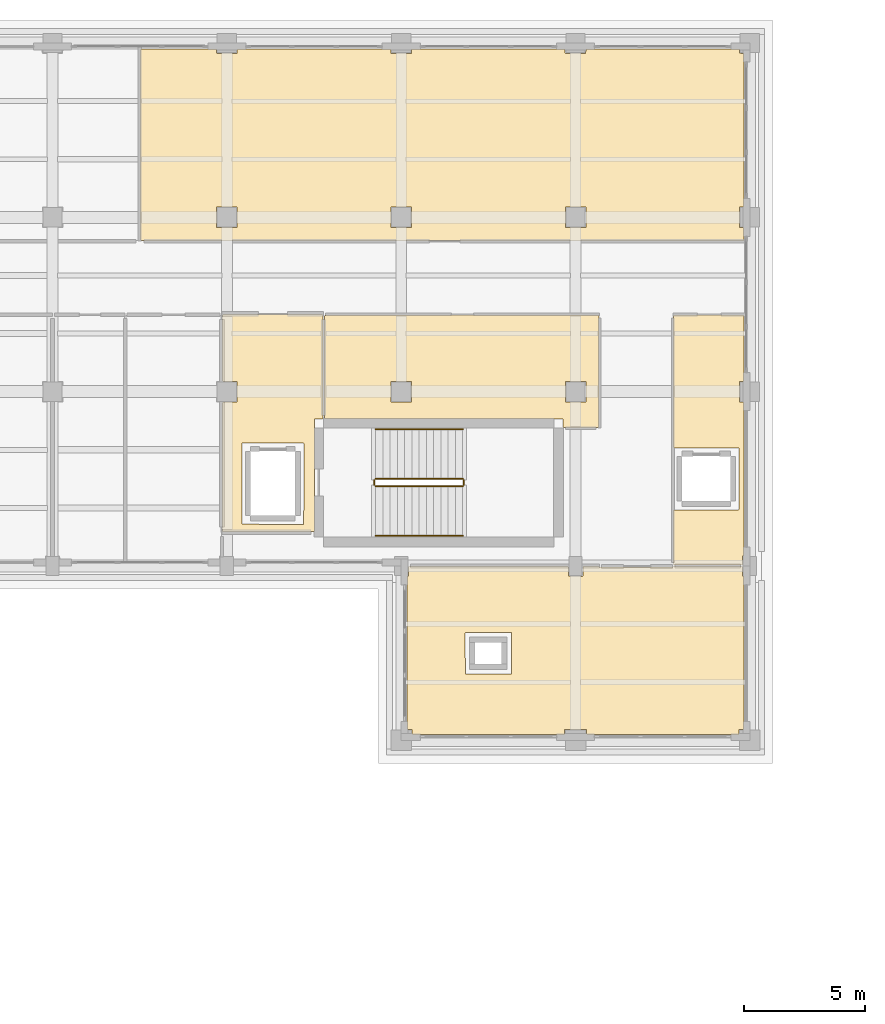
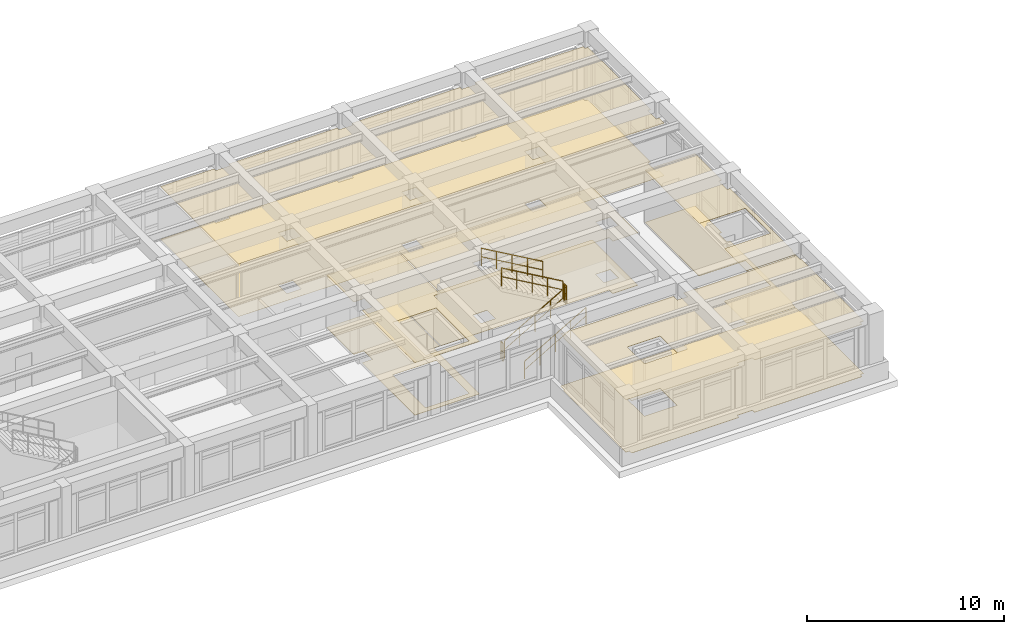
# One storey, part 98 of 98: 10 coverings, 6 railings.
"""IFC4 building model written with IfcOpenShell, lengths in metres."""

import ifcopenshell
import ifcopenshell.guid

model = None  # the IFC model being written
_history = None  # IfcOwnerHistory: only IFC2X3 demands one
_inside = {}  # id of a spatial element -> (the spatial element, [elements in it])
_under = {}  # id of a project, library or spatial element -> (it, [spatial elements below it])
_declared = {}  # id of a project -> (the project, [libraries it declares])
_typed = {}  # id of a type object -> (the type object, [elements of that type])
_made_of = {}  # id of a material, layer set ... -> (it, [elements and type objects made of it])


def new_model(schema):
    """Start an empty IFC model of exactly this schema.

    Asked for "IFC4X3", IfcOpenShell would pick the latest addendum, in which some entities
    have other attributes; the version numbers below select the first issue.
    IFC2X3 requires an IfcOwnerHistory on every rooted entity: one is made here for all.
    """
    global model, _history
    if schema == "IFC4X3":
        model = ifcopenshell.file(schema_version=(4, 3, 0, 0))
    else:
        model = ifcopenshell.file(schema=schema)
    _inside.clear()
    _under.clear()
    _declared.clear()
    _typed.clear()
    _made_of.clear()
    _history = None
    if model.schema == "IFC2X3":
        org = make("IfcOrganization", Name="unknown")
        user = make(
            "IfcPersonAndOrganization",
            ThePerson=make("IfcPerson", FamilyName="unknown"),
            TheOrganization=org,
        )
        app = make(
            "IfcApplication",
            ApplicationDeveloper=org,
            Version="unknown",
            ApplicationFullName="unknown",
            ApplicationIdentifier="unknown",
        )
        _history = make(
            "IfcOwnerHistory",
            OwningUser=user,
            OwningApplication=app,
            ChangeAction="ADDED",
            CreationDate=0,
        )
    return model


def make(cls, **values):
    """One entity of the class cls with the attributes given. An attribute that is None is left unset."""
    return model.create_entity(
        cls, **{name: value for name, value in values.items() if value is not None}
    )


def rooted(cls, **values):
    """An entity with a GlobalId (a new one), such as an element, a storey or a relation."""
    return make(cls, GlobalId=ifcopenshell.guid.new(), OwnerHistory=_history, **values)


def si_unit(unit_type, name, prefix=None):
    """IfcSIUnit, for example si_unit("LENGTHUNIT", "METRE", prefix="MILLI")."""
    return make("IfcSIUnit", UnitType=unit_type, Prefix=prefix, Name=name)


def assignment(units):
    """IfcUnitAssignment: the units of a project."""
    return None if units is None else make("IfcUnitAssignment", Units=units)


def point(xyz):
    """IfcCartesianPoint."""
    return None if xyz is None else make("IfcCartesianPoint", Coordinates=xyz)


def direction(xyz):
    """IfcDirection."""
    return None if xyz is None else make("IfcDirection", DirectionRatios=xyz)


def frame(location, z_axis=None, x_axis=None):
    """IfcAxis2Placement3D, a coordinate frame: its origin and axes. An axis left out is left unset."""
    return make(
        "IfcAxis2Placement3D",
        Location=point(location),
        Axis=direction(z_axis),
        RefDirection=direction(x_axis),
    )


def frame_2d(location, x_axis=None):
    """IfcAxis2Placement2D, a coordinate frame in the plane: its origin and x axis."""
    return make(
        "IfcAxis2Placement2D", Location=point(location), RefDirection=direction(x_axis)
    )


def origin():
    """The frame at (0, 0, 0) with its axes left unset."""
    return frame((0.0, 0.0, 0.0))


def origin_2d():
    """The frame at (0, 0) in the plane with its x axis left unset."""
    return frame_2d((0.0, 0.0))


def place(relative_to, where):
    """IfcLocalPlacement: puts the frame where relative to a parent placement (None: the world)."""
    return make(
        "IfcLocalPlacement", PlacementRelTo=relative_to, RelativePlacement=where
    )


def context(
    kind, dimensions, precision=None, world=None, true_north=None, identifier=None
):
    """IfcGeometricRepresentationContext, for example the 3D "Model" context."""
    return make(
        "IfcGeometricRepresentationContext",
        ContextIdentifier=identifier,
        ContextType=kind,
        CoordinateSpaceDimension=dimensions,
        Precision=precision,
        WorldCoordinateSystem=world,
        TrueNorth=true_north,
    )


def subcontext(parent, identifier, kind, view, scale=None):
    """IfcGeometricRepresentationSubContext, for example "Body" below "Model"."""
    return make(
        "IfcGeometricRepresentationSubContext",
        ContextIdentifier=identifier,
        ContextType=kind,
        ParentContext=parent,
        TargetScale=scale,
        TargetView=view,
    )


def project(units=None, contexts=None):
    """IfcProject with its units and contexts."""
    return rooted(
        "IfcProject",
        Name="project",
        RepresentationContexts=contexts,
        UnitsInContext=assignment(units),
    )


def spatial(cls, under=None, at=None, **own):
    """A site, building, storey or space (cls), placed at a placement, below another one or the project."""
    s = rooted(cls, ObjectPlacement=at, **own)
    if under is not None:
        _under.setdefault(under.id(), (under, []))[1].append(s)
    return s


def polyline(points):
    """IfcPolyline through the points."""
    return make("IfcPolyline", Points=[point(p) for p in points])


def profile(cls, at=None, kind="AREA", **sizes):
    """A parametric profile (cls). Its sizes go by their IFC names, for example OverallWidth=200.0."""
    return make(cls, ProfileType=kind, Position=at, **sizes)


def circle(**sizes):
    """IfcCircleProfileDef."""
    return profile("IfcCircleProfileDef", **sizes)


def outline(outer, holes=None, kind="AREA"):
    """IfcArbitraryClosedProfileDef: a profile drawn as a closed curve; with holes, ...WithVoids."""
    if holes is None:
        return make("IfcArbitraryClosedProfileDef", ProfileType=kind, OuterCurve=outer)
    return make(
        "IfcArbitraryProfileDefWithVoids",
        ProfileType=kind,
        OuterCurve=outer,
        InnerCurves=holes,
    )


def extrude(swept, where, along, depth):
    """IfcExtrudedAreaSolid: the profile swept, set in the frame where, extruded along a direction by depth."""
    return make(
        "IfcExtrudedAreaSolid",
        SweptArea=swept,
        Position=where,
        ExtrudedDirection=direction(along),
        Depth=depth,
    )


def shape(context_of_items, identifier, shape_type, items):
    """IfcShapeRepresentation: the items that make up one representation, for example the "Body"."""
    return make(
        "IfcShapeRepresentation",
        ContextOfItems=context_of_items,
        RepresentationIdentifier=identifier,
        RepresentationType=shape_type,
        Items=items,
    )


def material(Name=None, Category=None):
    """IfcMaterial."""
    return make("IfcMaterial", Name=Name, Category=Category)


def layer(
    of_material, thickness, ventilated=None, Name=None, Category=None, Priority=None
):
    """IfcMaterialLayer: one layer of a wall or slab, of a material (None: an air gap)."""
    return make(
        "IfcMaterialLayer",
        Material=of_material,
        LayerThickness=thickness,
        IsVentilated=ventilated,
        Name=Name,
        Category=Category,
        Priority=Priority,
    )


def layer_set(layers, Name=None):
    """IfcMaterialLayerSet."""
    return make("IfcMaterialLayerSet", MaterialLayers=layers, LayerSetName=Name)


def made_of(thing, what):
    """Note that an element or type object is made of a material, layer set ...; save() writes the relation."""
    if what is not None:
        _made_of.setdefault(what.id(), (what, []))[1].append(thing)
    return thing


def type_object(cls, material=None, **own):
    """A type object (cls), such as IfcWallType, which elements share."""
    return made_of(rooted(cls, **own), material)


def element(
    cls,
    number,
    at=None,
    inside=None,
    cuts=None,
    type_object=None,
    material=None,
    context=None,
    identifier="Body",
    shape_type=None,
    held_by="IfcProductDefinitionShape",
    body=None,
    shapes=None,
    **own,
):
    """One element of the class cls, such as IfcWall. Its Tag is "e" and its number.

    at: its placement. inside: the storey or other place that contains it. cuts: it is an
    opening in that element (IfcRelVoidsElement). A single representation is given by context,
    identifier, shape_type and body (its items); several are given by shapes. held_by: the class
    of the entity that holds the representations. save() writes the other relations.
    """
    e = rooted(cls, Tag="e%d" % number, ObjectPlacement=at, **own)
    if body is not None:
        shapes = [shape(context, identifier, shape_type, body)]
    if shapes is not None:
        e.Representation = make(held_by, Representations=shapes)
    if inside is not None:
        _inside.setdefault(inside.id(), (inside, []))[1].append(e)
    if cuts is not None:
        rooted(
            "IfcRelVoidsElement", RelatingBuildingElement=cuts, RelatedOpeningElement=e
        )
    if type_object is not None:
        _typed.setdefault(type_object.id(), (type_object, []))[1].append(e)
    return made_of(e, material)


def aggregate(whole, parts):
    """IfcRelAggregates: a whole, such as a stair, and the parts it consists of."""
    return rooted("IfcRelAggregates", RelatingObject=whole, RelatedObjects=parts)


def save(model, path):
    """Write the relations noted so far, then the file.

    IfcRelAggregates (storeys below a building ...), IfcRelContainedInSpatialStructure (elements
    in a storey), IfcRelDefinesByType, IfcRelAssociatesMaterial and IfcRelDeclares: one each for
    every whole, place, type object, material and project.
    """
    for whole, parts in _under.values():
        aggregate(whole, parts)
    for where, things in _inside.values():
        rooted(
            "IfcRelContainedInSpatialStructure",
            RelatedElements=things,
            RelatingStructure=where,
        )
    for kind, things in _typed.values():
        rooted("IfcRelDefinesByType", RelatedObjects=things, RelatingType=kind)
    for what, things in _made_of.values():
        rooted("IfcRelAssociatesMaterial", RelatedObjects=things, RelatingMaterial=what)
    for by, libraries in _declared.values():
        rooted("IfcRelDeclares", RelatingContext=by, RelatedDefinitions=libraries)
    model.write(path)


model = new_model("IFC4")

# Units and contexts
model_context = context("Model", 3, precision=1e-05, world=origin(), true_north=direction((0.0, 1.0)))
body_context = subcontext(model_context, "Body", "Model", "MODEL_VIEW")
ifc_project = project(units=[si_unit("LENGTHUNIT", "METRE"), si_unit("AREAUNIT", "SQUARE_METRE"), si_unit("VOLUMEUNIT", "CUBIC_METRE"), si_unit("PLANEANGLEUNIT", "RADIAN"), si_unit("MASSUNIT", "GRAM", prefix="KILO")], contexts=[model_context])

# Site, building, storey
site_placement = place(None, origin())
site = spatial("IfcSite", under=ifc_project, at=site_placement, CompositionType="ELEMENT")
building_placement = place(site_placement, origin())
building = spatial("IfcBuilding", under=site, at=building_placement, Name="Solenvale Faculty of Natural Sciences", CompositionType="ELEMENT")
storey_placement = place(building_placement, frame((0.0, 0.0, 9.0)))
storey = spatial("IfcBuildingStorey", under=building, at=storey_placement, Name="L02", CompositionType="ELEMENT", Elevation=9.0)

# Coverings
ifc_material_1 = material(Name="Acoustic mineral-timber ceiling", Category="wood")
ifc_layer_1 = layer(ifc_material_1, 0.02490234375)
ifc_layer_set_1 = layer_set([ifc_layer_1], Name="Acoustic mineral-timber ceiling")
covering_type_1 = type_object("IfcCoveringType", Name="COV-CEIL-AC25", PredefinedType="CEILING", material=ifc_layer_set_1)
covering_1_placement = place(storey_placement, frame((0.0, 0.0, 3.235107421875)))
element("IfcCovering", 1, at=covering_1_placement, inside=storey, type_object=covering_type_1, Name="L02 Firefighting Lobby C5 Acoustic Ceiling", PredefinedType="CEILING", context=body_context, shape_type="SweptSolid", body=[
    extrude(outline(polyline([(133.580078125, 99.7099609375), (133.555908203125, 99.680908203125), (133.248046875, 99.679931640625), (133.219970703125, 99.652099609375), (133.212890625, 95.031005859375), (133.18994140625, 95.02001953125), (129.430908203125, 95.027099609375), (129.419921875, 95.050048828125), (129.419921875, 100.347900390625), (129.447021484375, 100.375), (130.02294921875, 100.37890625), (130.02490234375, 101.214111328125), (130.013916015625, 101.22509765625), (129.447021484375, 101.22509765625), (129.4208984375, 101.2490234375), (129.419921875, 103.949951171875), (129.428955078125, 103.970947265625), (129.449951171875, 103.97998046875), (133.550048828125, 103.97998046875), (133.571044921875, 103.970947265625), (133.580078125, 103.949951171875), (133.580078125, 99.7099609375)]), holes=[polyline([(132.780029296875, 98.652099609375), (132.77001953125, 98.672119140625), (132.75, 98.679931640625), (130.25, 98.679931640625), (130.22607421875, 98.66796875), (130.219970703125, 95.35009765625), (130.23193359375, 95.325927734375), (132.75, 95.320068359375), (132.77392578125, 95.33203125), (132.780029296875, 98.652099609375)])]), origin(), (0.0, 0.0, 1.0), 0.02490234375),
])
covering_2_placement = place(storey_placement, frame((0.0, 0.0, 3.235107421875)))
element("IfcCovering", 2, at=covering_2_placement, inside=storey, type_object=covering_type_1, Name="L02 Seminar Room Acoustic Ceiling", PredefinedType="CEILING", context=body_context, shape_type="SweptSolid", body=[
    extrude(outline(polyline([(144.950927734375, 93.580078125), (145.0, 93.56005859375), (148.0, 93.56005859375), (148.049072265625, 93.580078125), (150.8701171875, 93.580078125), (150.89306640625, 93.569091796875), (150.89990234375, 93.18310546875), (150.947021484375, 93.169921875), (150.9599609375, 93.14501953125), (150.9599609375, 86.8798828125), (150.93603515625, 86.85107421875), (150.7529296875, 86.846923828125), (150.75, 86.6669921875), (150.739013671875, 86.64697265625), (144.47998046875, 86.639892578125), (144.450927734375, 86.6640625), (144.44189453125, 86.85009765625), (143.56103515625, 86.85009765625), (143.550048828125, 86.841064453125), (143.549072265625, 86.6640625), (143.52001953125, 86.639892578125), (137.280029296875, 86.639892578125), (137.2509765625, 86.6640625), (137.2470703125, 86.846923828125), (137.06689453125, 86.85009765625), (137.047119140625, 86.861083984375), (137.0400390625, 93.14501953125), (137.052978515625, 93.169921875), (137.10009765625, 93.18310546875), (137.10009765625, 93.550048828125), (137.111083984375, 93.572998046875), (143.673095703125, 93.580078125), (143.699951171875, 93.552978515625), (143.7041015625, 93.177001953125), (144.2890625, 93.175048828125), (144.300048828125, 93.18603515625), (144.300048828125, 93.552978515625), (144.31298828125, 93.574951171875), (144.950927734375, 93.580078125)]), holes=[polyline([(141.360107421875, 90.83203125), (141.35009765625, 90.85205078125), (141.330078125, 90.860107421875), (139.449951171875, 90.85205078125), (139.43994140625, 90.830078125), (139.447998046875, 89.14990234375), (139.469970703125, 89.139892578125), (141.35009765625, 89.14794921875), (141.360107421875, 89.169921875), (141.360107421875, 90.83203125)])]), origin(), (0.0, 0.0, 1.0), 0.02490234375),
])
covering_3_placement = place(storey_placement, frame((0.0, 0.0, 3.235107421875)))
element("IfcCovering", 3, at=covering_3_placement, inside=storey, type_object=covering_type_1, Name="L02 Optics and Photonics Research Laboratory Acoustic Ceiling", PredefinedType="CEILING", context=body_context, shape_type="SweptSolid", body=[
    extrude(outline(polyline([(129.14501953125, 114.9599609375), (129.174072265625, 114.93603515625), (129.175048828125, 114.783935546875), (129.18603515625, 114.77490234375), (130.01708984375, 114.77490234375), (130.02587890625, 114.93603515625), (130.054931640625, 114.9599609375), (136.344970703125, 114.9599609375), (136.3740234375, 114.93603515625), (136.375, 114.783935546875), (136.385986328125, 114.77490234375), (137.217041015625, 114.77490234375), (137.22607421875, 114.93603515625), (137.2548828125, 114.9599609375), (143.544921875, 114.9599609375), (143.573974609375, 114.93603515625), (143.574951171875, 114.783935546875), (143.5859375, 114.77490234375), (144.4169921875, 114.77490234375), (144.426025390625, 114.93603515625), (144.455078125, 114.9599609375), (150.756103515625, 114.9580078125), (150.77490234375, 114.93310546875), (150.778076171875, 114.778076171875), (150.93603515625, 114.77392578125), (150.9599609375, 114.7451171875), (150.9599609375, 108.455078125), (150.93603515625, 108.426025390625), (150.783935546875, 108.425048828125), (150.77490234375, 108.4140625), (150.77490234375, 107.583984375), (150.783935546875, 107.574951171875), (150.93603515625, 107.573974609375), (150.958984375, 107.553955078125), (150.9580078125, 107.05908203125), (150.929931640625, 107.0400390625), (126.05908203125, 107.0419921875), (126.0400390625, 107.070068359375), (126.0419921875, 114.94091796875), (126.070068359375, 114.9599609375), (129.14501953125, 114.9599609375)]), holes=[polyline([(144.425048828125, 108.4140625), (144.4140625, 108.425048828125), (143.577880859375, 108.422119140625), (143.577880859375, 107.577880859375), (144.422119140625, 107.577880859375), (144.425048828125, 108.4140625)]), polyline([(137.22509765625, 108.4140625), (137.214111328125, 108.425048828125), (136.3779296875, 108.422119140625), (136.3779296875, 107.577880859375), (137.221923828125, 107.577880859375), (137.22509765625, 108.4140625)]), polyline([(129.18603515625, 108.425048828125), (129.175048828125, 108.4140625), (129.177978515625, 107.577880859375), (130.02197265625, 107.577880859375), (130.02197265625, 108.422119140625), (129.18603515625, 108.425048828125)])]), origin(), (0.0, 0.0, 1.0), 0.02490234375),
])
covering_4_placement = place(storey_placement, frame((0.0, 0.0, 3.235107421875)))
element("IfcCovering", 4, at=covering_4_placement, inside=storey, type_object=covering_type_1, Name="L02 Building Electrical and Telecom Closet Acoustic Ceiling", PredefinedType="CEILING", context=body_context, shape_type="SweptSolid", body=[
    extrude(outline(polyline([(144.929931640625, 103.9599609375), (144.950927734375, 103.950927734375), (144.9599609375, 103.929931640625), (144.9599609375, 99.35009765625), (144.94091796875, 99.322021484375), (143.50390625, 99.321044921875), (143.47998046875, 99.346923828125), (143.47998046875, 99.654052734375), (143.450927734375, 99.679931640625), (133.669921875, 99.679931640625), (133.64208984375, 99.698974609375), (133.639892578125, 103.929931640625), (133.658935546875, 103.9580078125), (144.929931640625, 103.9599609375)]), holes=[polyline([(143.5859375, 101.22509765625), (143.574951171875, 101.214111328125), (143.577880859375, 100.3779296875), (144.422119140625, 100.3779296875), (144.422119140625, 101.221923828125), (143.5859375, 101.22509765625)]), polyline([(137.22509765625, 101.214111328125), (137.214111328125, 101.22509765625), (136.3779296875, 101.221923828125), (136.3779296875, 100.3779296875), (137.221923828125, 100.3779296875), (137.22509765625, 101.214111328125)])]), origin(), (0.0, 0.0, 1.0), 0.02490234375),
])
covering_5_placement = place(storey_placement, frame((0.0, 0.0, 3.235107421875)))
element("IfcCovering", 5, at=covering_5_placement, inside=storey, type_object=covering_type_1, Name="L02 Elevator Lobby Acoustic Ceiling", PredefinedType="CEILING", context=body_context, shape_type="SweptSolid", body=[
    extrude(outline(polyline([(148.0400390625, 95.889892578125), (148.049072265625, 95.910888671875), (148.070068359375, 95.919921875), (150.72509765625, 95.919921875), (150.7470703125, 95.929931640625), (150.7548828125, 95.949951171875), (150.7548828125, 98.449951171875), (150.7451171875, 98.471923828125), (148.070068359375, 98.47998046875), (148.041015625, 98.5009765625), (148.0419921875, 103.94091796875), (148.070068359375, 103.9599609375), (150.94091796875, 103.9580078125), (150.9599609375, 103.929931640625), (150.9599609375, 101.251953125), (150.93603515625, 101.22607421875), (150.783935546875, 101.22509765625), (150.77490234375, 101.214111328125), (150.77490234375, 100.383056640625), (150.93603515625, 100.3740234375), (150.9599609375, 100.344970703125), (150.9599609375, 94.054931640625), (150.947021484375, 94.030029296875), (150.89990234375, 94.01708984375), (150.89306640625, 93.65087890625), (150.8701171875, 93.639892578125), (148.051025390625, 93.64697265625), (148.0400390625, 93.669921875), (148.0400390625, 95.889892578125)])), origin(), (0.0, 0.0, 1.0), 0.02490234375),
])
ifc_material_2 = material(Name="Polished slate terrazzo flooring", Category="masonry")
ifc_layer_2 = layer(ifc_material_2, 0.01806640625)
ifc_layer_set_2 = layer_set([ifc_layer_2], Name="Polished slate terrazzo flooring")
covering_type_2 = type_object("IfcCoveringType", Name="COV-FLR-TRZ18", PredefinedType="FLOORING", material=ifc_layer_set_2)
covering_6_placement = place(storey_placement, origin())
element("IfcCovering", 6, at=covering_6_placement, inside=storey, type_object=covering_type_2, Name="L02 Firefighting Lobby C5 Floor Finish", PredefinedType="FLOORING", context=body_context, shape_type="SweptSolid", body=[
    extrude(outline(polyline([(133.580078125, 99.7099609375), (133.555908203125, 99.680908203125), (133.248046875, 99.679931640625), (133.219970703125, 99.652099609375), (133.212890625, 95.031005859375), (133.18994140625, 95.02001953125), (129.430908203125, 95.027099609375), (129.419921875, 95.050048828125), (129.419921875, 100.347900390625), (129.447021484375, 100.375), (130.02294921875, 100.37890625), (130.02490234375, 101.214111328125), (130.013916015625, 101.22509765625), (129.447021484375, 101.22509765625), (129.4208984375, 101.2490234375), (129.419921875, 103.949951171875), (129.428955078125, 103.970947265625), (129.449951171875, 103.97998046875), (133.550048828125, 103.97998046875), (133.571044921875, 103.970947265625), (133.580078125, 103.949951171875), (133.580078125, 99.7099609375)]), holes=[polyline([(132.780029296875, 98.652099609375), (132.77001953125, 98.672119140625), (132.75, 98.679931640625), (130.25, 98.679931640625), (130.22607421875, 98.66796875), (130.219970703125, 95.35009765625), (130.23193359375, 95.325927734375), (132.75, 95.320068359375), (132.77392578125, 95.33203125), (132.780029296875, 98.652099609375)])]), origin(), (0.0, 0.0, 1.0), 0.01806640625),
])
covering_7_placement = place(storey_placement, origin())
element("IfcCovering", 7, at=covering_7_placement, inside=storey, type_object=covering_type_2, Name="L02 Seminar Room Floor Finish", PredefinedType="FLOORING", context=body_context, shape_type="SweptSolid", body=[
    extrude(outline(polyline([(144.950927734375, 93.580078125), (145.0, 93.56005859375), (148.0, 93.56005859375), (148.049072265625, 93.580078125), (150.8701171875, 93.580078125), (150.89306640625, 93.569091796875), (150.89990234375, 93.18310546875), (150.947021484375, 93.169921875), (150.9599609375, 93.14501953125), (150.9599609375, 86.8798828125), (150.93603515625, 86.85107421875), (150.7529296875, 86.846923828125), (150.75, 86.6669921875), (150.739013671875, 86.64697265625), (144.47998046875, 86.639892578125), (144.450927734375, 86.6640625), (144.44189453125, 86.85009765625), (143.56103515625, 86.85009765625), (143.550048828125, 86.841064453125), (143.549072265625, 86.6640625), (143.52001953125, 86.639892578125), (137.280029296875, 86.639892578125), (137.2509765625, 86.6640625), (137.2470703125, 86.846923828125), (137.06689453125, 86.85009765625), (137.047119140625, 86.861083984375), (137.0400390625, 93.14501953125), (137.052978515625, 93.169921875), (137.10009765625, 93.18310546875), (137.10009765625, 93.550048828125), (137.111083984375, 93.572998046875), (143.673095703125, 93.580078125), (143.699951171875, 93.552978515625), (143.7041015625, 93.177001953125), (144.2890625, 93.175048828125), (144.300048828125, 93.18603515625), (144.300048828125, 93.552978515625), (144.31298828125, 93.574951171875), (144.950927734375, 93.580078125)]), holes=[polyline([(141.360107421875, 90.83203125), (141.35009765625, 90.85205078125), (141.330078125, 90.860107421875), (139.449951171875, 90.85205078125), (139.43994140625, 90.830078125), (139.447998046875, 89.14990234375), (139.469970703125, 89.139892578125), (141.35009765625, 89.14794921875), (141.360107421875, 89.169921875), (141.360107421875, 90.83203125)])]), origin(), (0.0, 0.0, 1.0), 0.01806640625),
])
covering_8_placement = place(storey_placement, origin())
element("IfcCovering", 8, at=covering_8_placement, inside=storey, type_object=covering_type_2, Name="L02 Building Electrical and Telecom Closet Floor Finish", PredefinedType="FLOORING", context=body_context, shape_type="SweptSolid", body=[
    extrude(outline(polyline([(144.929931640625, 103.9599609375), (144.950927734375, 103.950927734375), (144.9599609375, 103.929931640625), (144.9599609375, 99.35009765625), (144.94091796875, 99.322021484375), (143.50390625, 99.321044921875), (143.47998046875, 99.346923828125), (143.47998046875, 99.654052734375), (143.450927734375, 99.679931640625), (133.669921875, 99.679931640625), (133.64208984375, 99.698974609375), (133.639892578125, 103.929931640625), (133.658935546875, 103.9580078125), (144.929931640625, 103.9599609375)]), holes=[polyline([(143.5859375, 101.22509765625), (143.574951171875, 101.214111328125), (143.577880859375, 100.3779296875), (144.422119140625, 100.3779296875), (144.422119140625, 101.221923828125), (143.5859375, 101.22509765625)]), polyline([(137.22509765625, 101.214111328125), (137.214111328125, 101.22509765625), (136.3779296875, 101.221923828125), (136.3779296875, 100.3779296875), (137.221923828125, 100.3779296875), (137.22509765625, 101.214111328125)])]), origin(), (0.0, 0.0, 1.0), 0.01806640625),
])
covering_9_placement = place(storey_placement, origin())
element("IfcCovering", 9, at=covering_9_placement, inside=storey, type_object=covering_type_2, Name="L02 Elevator Lobby Floor Finish", PredefinedType="FLOORING", context=body_context, shape_type="SweptSolid", body=[
    extrude(outline(polyline([(148.0400390625, 95.889892578125), (148.049072265625, 95.910888671875), (148.070068359375, 95.919921875), (150.72509765625, 95.919921875), (150.7470703125, 95.929931640625), (150.7548828125, 95.949951171875), (150.7548828125, 98.449951171875), (150.7451171875, 98.471923828125), (148.070068359375, 98.47998046875), (148.041015625, 98.5009765625), (148.0419921875, 103.94091796875), (148.070068359375, 103.9599609375), (150.94091796875, 103.9580078125), (150.9599609375, 103.929931640625), (150.9599609375, 101.251953125), (150.93603515625, 101.22607421875), (150.783935546875, 101.22509765625), (150.77490234375, 101.214111328125), (150.77490234375, 100.383056640625), (150.93603515625, 100.3740234375), (150.9599609375, 100.344970703125), (150.9599609375, 94.054931640625), (150.947021484375, 94.030029296875), (150.89990234375, 94.01708984375), (150.89306640625, 93.65087890625), (150.8701171875, 93.639892578125), (148.051025390625, 93.64697265625), (148.0400390625, 93.669921875), (148.0400390625, 95.889892578125)])), origin(), (0.0, 0.0, 1.0), 0.01806640625),
])
ifc_material_3 = material(Name="Seamless laboratory vinyl flooring")
ifc_layer_3 = layer(ifc_material_3, 0.008056640625)
ifc_layer_set_3 = layer_set([ifc_layer_3], Name="Seamless laboratory vinyl flooring")
covering_type_3 = type_object("IfcCoveringType", Name="COV-FLR-VNL08", PredefinedType="FLOORING", material=ifc_layer_set_3)
covering_10_placement = place(storey_placement, origin())
element("IfcCovering", 10, at=covering_10_placement, inside=storey, type_object=covering_type_3, Name="L02 Optics and Photonics Research Laboratory Floor Finish", PredefinedType="FLOORING", context=body_context, shape_type="SweptSolid", body=[
    extrude(outline(polyline([(129.14501953125, 114.9599609375), (129.174072265625, 114.93603515625), (129.175048828125, 114.783935546875), (129.18603515625, 114.77490234375), (130.01708984375, 114.77490234375), (130.02587890625, 114.93603515625), (130.054931640625, 114.9599609375), (136.344970703125, 114.9599609375), (136.3740234375, 114.93603515625), (136.375, 114.783935546875), (136.385986328125, 114.77490234375), (137.217041015625, 114.77490234375), (137.22607421875, 114.93603515625), (137.2548828125, 114.9599609375), (143.544921875, 114.9599609375), (143.573974609375, 114.93603515625), (143.574951171875, 114.783935546875), (143.5859375, 114.77490234375), (144.4169921875, 114.77490234375), (144.426025390625, 114.93603515625), (144.455078125, 114.9599609375), (150.756103515625, 114.9580078125), (150.77490234375, 114.93310546875), (150.778076171875, 114.778076171875), (150.93603515625, 114.77392578125), (150.9599609375, 114.7451171875), (150.9599609375, 108.455078125), (150.93603515625, 108.426025390625), (150.783935546875, 108.425048828125), (150.77490234375, 108.4140625), (150.77490234375, 107.583984375), (150.783935546875, 107.574951171875), (150.93603515625, 107.573974609375), (150.958984375, 107.553955078125), (150.9580078125, 107.05908203125), (150.929931640625, 107.0400390625), (126.05908203125, 107.0419921875), (126.0400390625, 107.070068359375), (126.0419921875, 114.94091796875), (126.070068359375, 114.9599609375), (129.14501953125, 114.9599609375)]), holes=[polyline([(144.425048828125, 108.4140625), (144.4140625, 108.425048828125), (143.577880859375, 108.422119140625), (143.577880859375, 107.577880859375), (144.422119140625, 107.577880859375), (144.425048828125, 108.4140625)]), polyline([(137.22509765625, 108.4140625), (137.214111328125, 108.425048828125), (136.3779296875, 108.422119140625), (136.3779296875, 107.577880859375), (137.221923828125, 107.577880859375), (137.22509765625, 108.4140625)]), polyline([(129.18603515625, 108.425048828125), (129.175048828125, 108.4140625), (129.177978515625, 107.577880859375), (130.02197265625, 107.577880859375), (130.02197265625, 108.422119140625), (129.18603515625, 108.425048828125)])]), origin(), (0.0, 0.0, 1.0), 0.008056640625),
])

# Railings
ifc_material_4 = material(Name="Stainless steel Grade 304", Category="steel")
railing_type_1 = type_object("IfcRailingType", Name="RL-GRD-1100", PredefinedType="GUARDRAIL", material=ifc_material_4)
railing_1_placement = place(storey_placement, frame((135.739990234375, 96.89990234375, 0.173095703125)))
element("IfcRailing", 11, at=railing_1_placement, inside=storey, type_object=railing_type_1, Name="L02 ST-05 stair guard 1", PredefinedType="GUARDRAIL", context=body_context, shape_type="SweptSolid", body=[
    extrude(circle(Radius=0.02392578125, at=origin_2d()), frame((0.0, 0.0, 1.09619140625), z_axis=(0.866193409371, 0.0, 0.499708892819), x_axis=(0.0, 1.0, 0.0)), (0.0, 0.0, 1.0), 4.15625),
    extrude(circle(Radius=0.01611328125, at=origin_2d()), frame((0.0, 0.0, 0.56005859375), z_axis=(0.866193409371, 0.0, 0.499708892819), x_axis=(0.0, 1.0, 0.0)), (0.0, 0.0, 1.0), 4.15625),
    extrude(circle(Radius=0.02099609375, at=origin_2d()), origin(), (0.0, 0.0, 1.0), 1.072021484375),
    extrude(circle(Radius=0.02099609375, at=origin_2d()), frame((0.89990234375, 0.0, 0.519287109375)), (0.0, 0.0, 1.0), 1.072021484375),
    extrude(circle(Radius=0.02099609375, at=origin_2d()), frame((1.800048828125, 0.0, 1.03857421875)), (0.0, 0.0, 1.0), 1.072021484375),
    extrude(circle(Radius=0.02099609375, at=origin_2d()), frame((2.7001953125, 0.0, 1.5576171875)), (0.0, 0.0, 1.0), 1.072021484375),
    extrude(circle(Radius=0.02099609375, at=origin_2d()), frame((3.60009765625, 0.0, 2.076904296875)), (0.0, 0.0, 1.0), 1.072021484375),
])
railing_2_placement = place(storey_placement, frame((139.389892578125, 96.949951171875, 2.25)))
element("IfcRailing", 12, at=railing_2_placement, inside=storey, type_object=railing_type_1, Name="L02 ST-05 stair guard 2", PredefinedType="GUARDRAIL", context=body_context, shape_type="SweptSolid", body=[
    extrude(circle(Radius=0.02392578125, at=origin_2d()), frame((0.0, 0.0, 1.09619140625), z_axis=(0.0, 1.0, 0.0), x_axis=(-1.0, 0.0, 0.0)), (0.0, 0.0, 1.0), 0.199951171875),
    extrude(circle(Radius=0.01611328125, at=origin_2d()), frame((0.0, 0.0, 0.56005859375), z_axis=(0.0, 1.0, 0.0), x_axis=(-1.0, 0.0, 0.0)), (0.0, 0.0, 1.0), 0.199951171875),
    extrude(circle(Radius=0.02099609375, at=origin_2d()), origin(), (0.0, 0.0, 1.0), 1.072021484375),
    extrude(circle(Radius=0.02099609375, at=origin_2d()), frame((0.0, 0.199951171875, 0.0)), (0.0, 0.0, 1.0), 1.072021484375),
])
railing_3_placement = place(storey_placement, frame((139.340087890625, 97.199951171875, 2.423095703125)))
element("IfcRailing", 13, at=railing_3_placement, inside=storey, type_object=railing_type_1, Name="L02 ST-05 stair guard 3", PredefinedType="GUARDRAIL", context=body_context, shape_type="SweptSolid", body=[
    extrude(circle(Radius=0.02392578125, at=origin_2d()), frame((0.0, 0.0, 1.09619140625), z_axis=(-0.866193409371, 0.0, 0.499708892819), x_axis=(0.0, -1.0, 0.0)), (0.0, 0.0, 1.0), 4.15625),
    extrude(circle(Radius=0.01611328125, at=origin_2d()), frame((0.0, 0.0, 0.56005859375), z_axis=(-0.866193409371, 0.0, 0.499708892819), x_axis=(0.0, -1.0, 0.0)), (0.0, 0.0, 1.0), 4.15625),
    extrude(circle(Radius=0.02099609375, at=origin_2d()), origin(), (0.0, 0.0, 1.0), 1.072021484375),
    extrude(circle(Radius=0.02099609375, at=origin_2d()), frame((-0.89990234375, 0.0, 0.519287109375)), (0.0, 0.0, 1.0), 1.072021484375),
    extrude(circle(Radius=0.02099609375, at=origin_2d()), frame((-1.800048828125, 0.0, 1.03857421875)), (0.0, 0.0, 1.0), 1.072021484375),
    extrude(circle(Radius=0.02099609375, at=origin_2d()), frame((-2.7001953125, 0.0, 1.5576171875)), (0.0, 0.0, 1.0), 1.072021484375),
    extrude(circle(Radius=0.02099609375, at=origin_2d()), frame((-3.60009765625, 0.0, 2.076904296875)), (0.0, 0.0, 1.0), 1.072021484375),
])
railing_4_placement = place(storey_placement, frame((135.68994140625, 96.949951171875, 0.0)))
element("IfcRailing", 14, at=railing_4_placement, inside=storey, type_object=railing_type_1, Name="L02 ST-05 stair guard 4", PredefinedType="GUARDRAIL", context=body_context, shape_type="SweptSolid", body=[
    extrude(circle(Radius=0.02392578125, at=origin_2d()), frame((0.0, 0.0, 1.09619140625), z_axis=(0.0, 1.0, 0.0), x_axis=(-1.0, 0.0, 0.0)), (0.0, 0.0, 1.0), 0.199951171875),
    extrude(circle(Radius=0.01611328125, at=origin_2d()), frame((0.0, 0.0, 0.56005859375), z_axis=(0.0, 1.0, 0.0), x_axis=(-1.0, 0.0, 0.0)), (0.0, 0.0, 1.0), 0.199951171875),
    extrude(circle(Radius=0.02099609375, at=origin_2d()), origin(), (0.0, 0.0, 1.0), 1.072021484375),
    extrude(circle(Radius=0.02099609375, at=origin_2d()), frame((0.0, 0.199951171875, 0.0)), (0.0, 0.0, 1.0), 1.072021484375),
])
railing_type_2 = type_object("IfcRailingType", Name="RL-HND-900", PredefinedType="HANDRAIL", material=ifc_material_4)
railing_5_placement = place(storey_placement, frame((135.739990234375, 94.85009765625, 0.173095703125)))
element("IfcRailing", 15, at=railing_5_placement, inside=storey, type_object=railing_type_2, Name="L02 ST-05 stair handrail 1", PredefinedType="HANDRAIL", context=body_context, shape_type="SweptSolid", body=[
    extrude(circle(Radius=0.02392578125, at=origin_2d()), frame((0.0, 0.0, 1.0732421875), z_axis=(0.866193409371, 0.0, 0.499708892819), x_axis=(0.0, 1.0, 0.0)), (0.0, 0.0, 1.0), 4.15625),
    extrude(circle(Radius=0.01611328125, at=origin_2d()), frame((0.0, 0.0, 0.548583984375), z_axis=(0.866193409371, 0.0, 0.499708892819), x_axis=(0.0, 1.0, 0.0)), (0.0, 0.0, 1.0), 4.15625),
    extrude(circle(Radius=0.02099609375, at=origin_2d()), origin(), (0.0, 0.0, 1.0), 1.049072265625),
    extrude(circle(Radius=0.02099609375, at=origin_2d()), frame((0.89990234375, 0.0, 0.519287109375)), (0.0, 0.0, 1.0), 1.049072265625),
    extrude(circle(Radius=0.02099609375, at=origin_2d()), frame((1.800048828125, 0.0, 1.03857421875)), (0.0, 0.0, 1.0), 1.049072265625),
    extrude(circle(Radius=0.02099609375, at=origin_2d()), frame((2.7001953125, 0.0, 1.5576171875)), (0.0, 0.0, 1.0), 1.049072265625),
    extrude(circle(Radius=0.02099609375, at=origin_2d()), frame((3.60009765625, 0.0, 2.076904296875)), (0.0, 0.0, 1.0), 1.049072265625),
])
railing_6_placement = place(storey_placement, frame((139.340087890625, 99.25, 2.423095703125)))
element("IfcRailing", 16, at=railing_6_placement, inside=storey, type_object=railing_type_2, Name="L02 ST-05 stair handrail 2", PredefinedType="HANDRAIL", context=body_context, shape_type="SweptSolid", body=[
    extrude(circle(Radius=0.02392578125, at=origin_2d()), frame((0.0, 0.0, 1.0732421875), z_axis=(-0.866193409371, 0.0, 0.499708892819), x_axis=(0.0, -1.0, 0.0)), (0.0, 0.0, 1.0), 4.15625),
    extrude(circle(Radius=0.01611328125, at=origin_2d()), frame((0.0, 0.0, 0.548583984375), z_axis=(-0.866193409371, 0.0, 0.499708892819), x_axis=(0.0, -1.0, 0.0)), (0.0, 0.0, 1.0), 4.15625),
    extrude(circle(Radius=0.02099609375, at=origin_2d()), origin(), (0.0, 0.0, 1.0), 1.049072265625),
    extrude(circle(Radius=0.02099609375, at=origin_2d()), frame((-0.89990234375, 0.0, 0.519287109375)), (0.0, 0.0, 1.0), 1.049072265625),
    extrude(circle(Radius=0.02099609375, at=origin_2d()), frame((-1.800048828125, 0.0, 1.03857421875)), (0.0, 0.0, 1.0), 1.049072265625),
    extrude(circle(Radius=0.02099609375, at=origin_2d()), frame((-2.7001953125, 0.0, 1.5576171875)), (0.0, 0.0, 1.0), 1.049072265625),
    extrude(circle(Radius=0.02099609375, at=origin_2d()), frame((-3.60009765625, 0.0, 2.076904296875)), (0.0, 0.0, 1.0), 1.049072265625),
])

save(model, "model.ifc")
